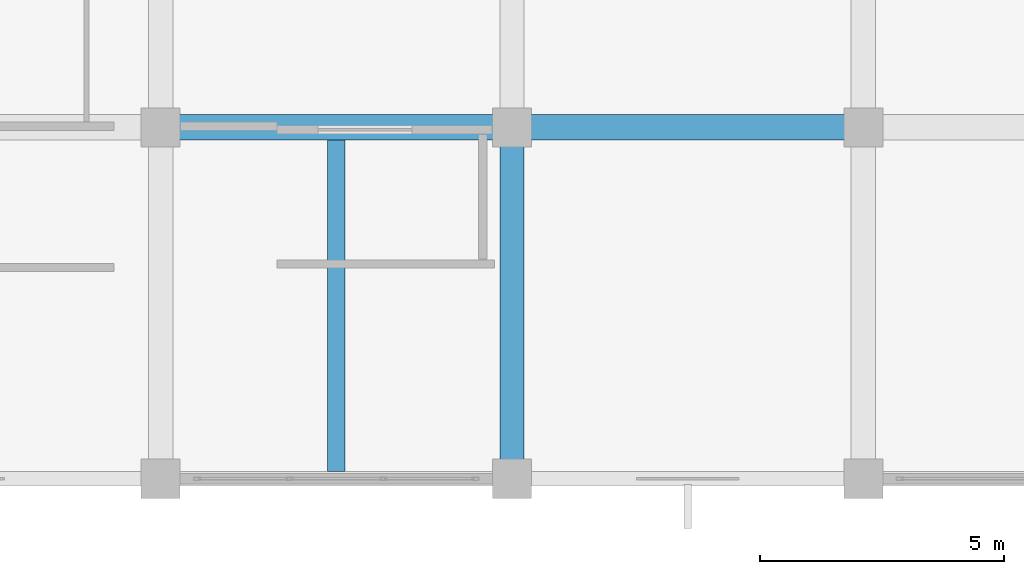
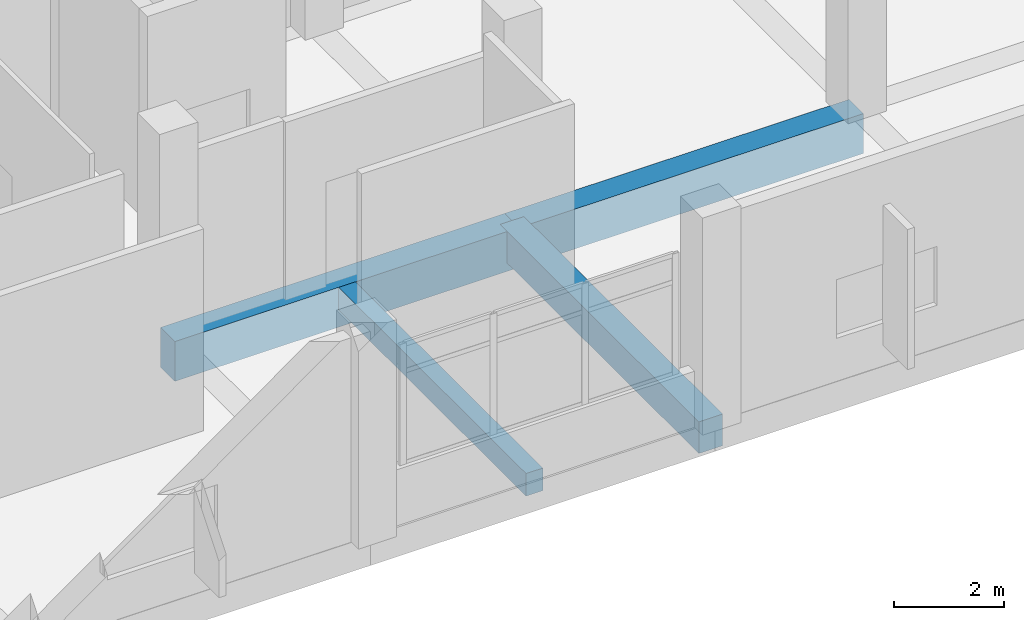
# One storey, part 37 of 140: 4 beams.
"""IFC4 building model written with IfcOpenShell, lengths in metres."""

from ifc_helpers import new_model, si_unit, direction, frame, origin, origin_2d, place, context, subcontext, project, spatial, rectangle, extrude, material, material_profile, profile_set, type_object, element, save


model = new_model("IFC4")

# Units and contexts
model_context = context("Model", 3, precision=1e-05, world=origin(), true_north=direction((0.0, 1.0)))
body_context = subcontext(model_context, "Body", "Model", "MODEL_VIEW")
ifc_project = project(units=[si_unit("LENGTHUNIT", "METRE"), si_unit("AREAUNIT", "SQUARE_METRE"), si_unit("VOLUMEUNIT", "CUBIC_METRE"), si_unit("PLANEANGLEUNIT", "RADIAN"), si_unit("MASSUNIT", "GRAM", prefix="KILO")], contexts=[model_context])

# Site, building, storey
site_placement = place(None, origin())
site = spatial("IfcSite", under=ifc_project, at=site_placement, CompositionType="ELEMENT")
building_placement = place(site_placement, origin())
building = spatial("IfcBuilding", under=site, at=building_placement, Name="Seraya Terrace Polytechnic", CompositionType="ELEMENT")
storey_placement = place(building_placement, frame((0.0, 0.0, 9.60009765625)))
storey = spatial("IfcBuildingStorey", under=building, at=storey_placement, Name="L02", CompositionType="ELEMENT", Elevation=9.60009765625)

# Beams
ifc_material = material(Name="Concrete C40/50", Category="concrete")
ifc_material_profile_1 = material_profile(ifc_material, rectangle(XDim=0.52001953125, YDim=0.8798828125, at=origin_2d()), Name="RC 520x880")
ifc_profile_set_1 = profile_set([ifc_material_profile_1], Name="Concrete C40/50")
beam_type_1 = type_object("IfcBeamType", Name="BM-04", PredefinedType="BEAM", material=ifc_profile_set_1)
for number, where, z_axis, x_axis, name in (
    (1, (108.0, 7.199951171875, -0.440185546875), (1.0, 0.0, 0.0), (0.0, 1.0, 0.0), "Beam BM-04 L02 X (108.0..115.2, 7.2)"),
    (2, (115.199951171875, 7.199951171875, -0.440185546875), (1.0, 0.0, 0.0), (0.0, 1.0, 0.0), "Beam BM-04 L02 X (115.2..122.4, 7.2)"),
):
    element("IfcBeam", number, at=place(storey_placement, frame(where, z_axis=z_axis, x_axis=x_axis)), inside=storey, type_object=beam_type_1, Name=name, PredefinedType="BEAM", context=body_context, shape_type="SweptSolid", body=[
        extrude(rectangle(XDim=0.52001953125, YDim=0.8798828125, at=origin_2d()), origin(), (0.0, 0.0, 1.0), 7.199951171875),
    ])
ifc_material_profile_2 = material_profile(ifc_material, rectangle(XDim=0.5, YDim=0.699951171875, at=origin_2d()), Name="RC 500x700")
ifc_profile_set_2 = profile_set([ifc_material_profile_2], Name="Concrete C40/50")
beam_type_2 = type_object("IfcBeamType", Name="BM-07", PredefinedType="BEAM", material=ifc_profile_set_2)
beam_1_placement = place(storey_placement, frame((115.199951171875, 0.0, -0.35009765625), z_axis=(0.0, 1.0, 0.0), x_axis=(-1.0, 0.0, 0.0)))
element("IfcBeam", 3, at=beam_1_placement, inside=storey, type_object=beam_type_2, Name="Beam BM-07 L02 Y (115.2, 0.0..7.2)", PredefinedType="BEAM", context=body_context, shape_type="SweptSolid", body=[
    extrude(rectangle(XDim=0.5, YDim=0.699951171875, at=origin_2d()), origin(), (0.0, 0.0, 1.0), 7.199951171875),
])
ifc_material_profile_3 = material_profile(ifc_material, rectangle(XDim=0.35009765625, YDim=0.5, at=origin_2d()), Name="RC 350x500")
ifc_profile_set_3 = profile_set([ifc_material_profile_3], Name="Concrete C40/50")
beam_type_3 = type_object("IfcBeamType", Name="JS-03", PredefinedType="JOIST", material=ifc_profile_set_3)
beam_2_placement = place(storey_placement, frame((111.60009765625, 0.14990234375, -0.25), z_axis=(0.0, 1.0, 0.0), x_axis=(-1.0, 0.0, 0.0)))
element("IfcBeam", 4, at=beam_2_placement, inside=storey, type_object=beam_type_3, Name="Secondary joist JS-03 L02", PredefinedType="JOIST", context=body_context, shape_type="SweptSolid", body=[
    extrude(rectangle(XDim=0.35009765625, YDim=0.5, at=origin_2d()), origin(), (0.0, 0.0, 1.0), 6.7900390625),
])

save(model, "model.ifc")
